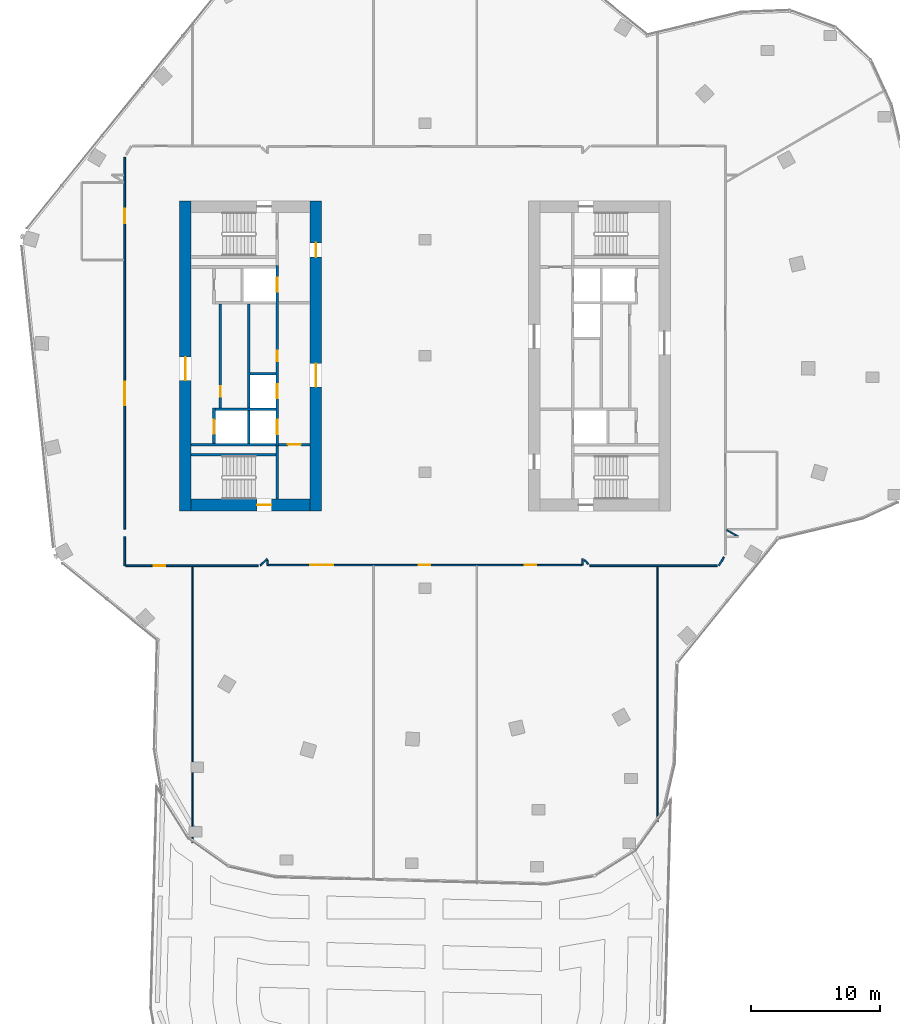
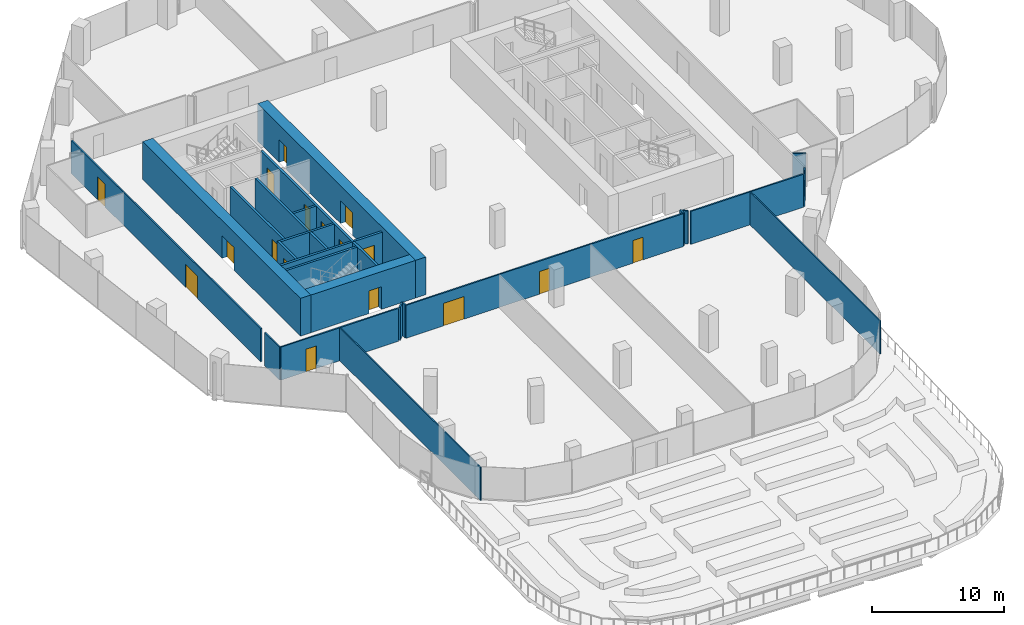
# One storey, part 18 of 25: 27 walls, 17 doors, 17 openings.
"""IFC4 building model written with IfcOpenShell, lengths in metres."""

import ifcopenshell
import ifcopenshell.guid

model = None  # the IFC model being written
_history = None  # IfcOwnerHistory: only IFC2X3 demands one
_inside = {}  # id of a spatial element -> (the spatial element, [elements in it])
_under = {}  # id of a project, library or spatial element -> (it, [spatial elements below it])
_declared = {}  # id of a project -> (the project, [libraries it declares])
_typed = {}  # id of a type object -> (the type object, [elements of that type])
_made_of = {}  # id of a material, layer set ... -> (it, [elements and type objects made of it])


def new_model(schema):
    """Start an empty IFC model of exactly this schema.

    Asked for "IFC4X3", IfcOpenShell would pick the latest addendum, in which some entities
    have other attributes; the version numbers below select the first issue.
    IFC2X3 requires an IfcOwnerHistory on every rooted entity: one is made here for all.
    """
    global model, _history
    if schema == "IFC4X3":
        model = ifcopenshell.file(schema_version=(4, 3, 0, 0))
    else:
        model = ifcopenshell.file(schema=schema)
    _inside.clear()
    _under.clear()
    _declared.clear()
    _typed.clear()
    _made_of.clear()
    _history = None
    if model.schema == "IFC2X3":
        org = make("IfcOrganization", Name="unknown")
        user = make(
            "IfcPersonAndOrganization",
            ThePerson=make("IfcPerson", FamilyName="unknown"),
            TheOrganization=org,
        )
        app = make(
            "IfcApplication",
            ApplicationDeveloper=org,
            Version="unknown",
            ApplicationFullName="unknown",
            ApplicationIdentifier="unknown",
        )
        _history = make(
            "IfcOwnerHistory",
            OwningUser=user,
            OwningApplication=app,
            ChangeAction="ADDED",
            CreationDate=0,
        )
    return model


def make(cls, **values):
    """One entity of the class cls with the attributes given. An attribute that is None is left unset."""
    return model.create_entity(
        cls, **{name: value for name, value in values.items() if value is not None}
    )


def rooted(cls, **values):
    """An entity with a GlobalId (a new one), such as an element, a storey or a relation."""
    return make(cls, GlobalId=ifcopenshell.guid.new(), OwnerHistory=_history, **values)


def si_unit(unit_type, name, prefix=None):
    """IfcSIUnit, for example si_unit("LENGTHUNIT", "METRE", prefix="MILLI")."""
    return make("IfcSIUnit", UnitType=unit_type, Prefix=prefix, Name=name)


def assignment(units):
    """IfcUnitAssignment: the units of a project."""
    return None if units is None else make("IfcUnitAssignment", Units=units)


def point(xyz):
    """IfcCartesianPoint."""
    return None if xyz is None else make("IfcCartesianPoint", Coordinates=xyz)


def direction(xyz):
    """IfcDirection."""
    return None if xyz is None else make("IfcDirection", DirectionRatios=xyz)


def frame(location, z_axis=None, x_axis=None):
    """IfcAxis2Placement3D, a coordinate frame: its origin and axes. An axis left out is left unset."""
    return make(
        "IfcAxis2Placement3D",
        Location=point(location),
        Axis=direction(z_axis),
        RefDirection=direction(x_axis),
    )


def frame_2d(location, x_axis=None):
    """IfcAxis2Placement2D, a coordinate frame in the plane: its origin and x axis."""
    return make(
        "IfcAxis2Placement2D", Location=point(location), RefDirection=direction(x_axis)
    )


def origin():
    """The frame at (0, 0, 0) with its axes left unset."""
    return frame((0.0, 0.0, 0.0))


def place(relative_to, where):
    """IfcLocalPlacement: puts the frame where relative to a parent placement (None: the world)."""
    return make(
        "IfcLocalPlacement", PlacementRelTo=relative_to, RelativePlacement=where
    )


def context(
    kind, dimensions, precision=None, world=None, true_north=None, identifier=None
):
    """IfcGeometricRepresentationContext, for example the 3D "Model" context."""
    return make(
        "IfcGeometricRepresentationContext",
        ContextIdentifier=identifier,
        ContextType=kind,
        CoordinateSpaceDimension=dimensions,
        Precision=precision,
        WorldCoordinateSystem=world,
        TrueNorth=true_north,
    )


def subcontext(parent, identifier, kind, view, scale=None):
    """IfcGeometricRepresentationSubContext, for example "Body" below "Model"."""
    return make(
        "IfcGeometricRepresentationSubContext",
        ContextIdentifier=identifier,
        ContextType=kind,
        ParentContext=parent,
        TargetScale=scale,
        TargetView=view,
    )


def project(units=None, contexts=None):
    """IfcProject with its units and contexts."""
    return rooted(
        "IfcProject",
        Name="project",
        RepresentationContexts=contexts,
        UnitsInContext=assignment(units),
    )


def spatial(cls, under=None, at=None, **own):
    """A site, building, storey or space (cls), placed at a placement, below another one or the project."""
    s = rooted(cls, ObjectPlacement=at, **own)
    if under is not None:
        _under.setdefault(under.id(), (under, []))[1].append(s)
    return s


def profile(cls, at=None, kind="AREA", **sizes):
    """A parametric profile (cls). Its sizes go by their IFC names, for example OverallWidth=200.0."""
    return make(cls, ProfileType=kind, Position=at, **sizes)


def rectangle(**sizes):
    """IfcRectangleProfileDef."""
    return profile("IfcRectangleProfileDef", **sizes)


def extrude(swept, where, along, depth):
    """IfcExtrudedAreaSolid: the profile swept, set in the frame where, extruded along a direction by depth."""
    return make(
        "IfcExtrudedAreaSolid",
        SweptArea=swept,
        Position=where,
        ExtrudedDirection=direction(along),
        Depth=depth,
    )


def shape(context_of_items, identifier, shape_type, items):
    """IfcShapeRepresentation: the items that make up one representation, for example the "Body"."""
    return make(
        "IfcShapeRepresentation",
        ContextOfItems=context_of_items,
        RepresentationIdentifier=identifier,
        RepresentationType=shape_type,
        Items=items,
    )


def material(Name=None, Category=None):
    """IfcMaterial."""
    return make("IfcMaterial", Name=Name, Category=Category)


def layer(
    of_material, thickness, ventilated=None, Name=None, Category=None, Priority=None
):
    """IfcMaterialLayer: one layer of a wall or slab, of a material (None: an air gap)."""
    return make(
        "IfcMaterialLayer",
        Material=of_material,
        LayerThickness=thickness,
        IsVentilated=ventilated,
        Name=Name,
        Category=Category,
        Priority=Priority,
    )


def layer_set(layers, Name=None):
    """IfcMaterialLayerSet."""
    return make("IfcMaterialLayerSet", MaterialLayers=layers, LayerSetName=Name)


def made_of(thing, what):
    """Note that an element or type object is made of a material, layer set ...; save() writes the relation."""
    if what is not None:
        _made_of.setdefault(what.id(), (what, []))[1].append(thing)
    return thing


def type_object(cls, material=None, **own):
    """A type object (cls), such as IfcWallType, which elements share."""
    return made_of(rooted(cls, **own), material)


def element(
    cls,
    number,
    at=None,
    inside=None,
    cuts=None,
    type_object=None,
    material=None,
    context=None,
    identifier="Body",
    shape_type=None,
    held_by="IfcProductDefinitionShape",
    body=None,
    shapes=None,
    **own,
):
    """One element of the class cls, such as IfcWall. Its Tag is "e" and its number.

    at: its placement. inside: the storey or other place that contains it. cuts: it is an
    opening in that element (IfcRelVoidsElement). A single representation is given by context,
    identifier, shape_type and body (its items); several are given by shapes. held_by: the class
    of the entity that holds the representations. save() writes the other relations.
    """
    e = rooted(cls, Tag="e%d" % number, ObjectPlacement=at, **own)
    if body is not None:
        shapes = [shape(context, identifier, shape_type, body)]
    if shapes is not None:
        e.Representation = make(held_by, Representations=shapes)
    if inside is not None:
        _inside.setdefault(inside.id(), (inside, []))[1].append(e)
    if cuts is not None:
        rooted(
            "IfcRelVoidsElement", RelatingBuildingElement=cuts, RelatedOpeningElement=e
        )
    if type_object is not None:
        _typed.setdefault(type_object.id(), (type_object, []))[1].append(e)
    return made_of(e, material)


def fill(opening, filler):
    """IfcRelFillsElement: the door or window that sits in an opening."""
    return rooted(
        "IfcRelFillsElement",
        RelatingOpeningElement=opening,
        RelatedBuildingElement=filler,
    )


def aggregate(whole, parts):
    """IfcRelAggregates: a whole, such as a stair, and the parts it consists of."""
    return rooted("IfcRelAggregates", RelatingObject=whole, RelatedObjects=parts)


def save(model, path):
    """Write the relations noted so far, then the file.

    IfcRelAggregates (storeys below a building ...), IfcRelContainedInSpatialStructure (elements
    in a storey), IfcRelDefinesByType, IfcRelAssociatesMaterial and IfcRelDeclares: one each for
    every whole, place, type object, material and project.
    """
    for whole, parts in _under.values():
        aggregate(whole, parts)
    for where, things in _inside.values():
        rooted(
            "IfcRelContainedInSpatialStructure",
            RelatedElements=things,
            RelatingStructure=where,
        )
    for kind, things in _typed.values():
        rooted("IfcRelDefinesByType", RelatedObjects=things, RelatingType=kind)
    for what, things in _made_of.values():
        rooted("IfcRelAssociatesMaterial", RelatedObjects=things, RelatingMaterial=what)
    for by, libraries in _declared.values():
        rooted("IfcRelDeclares", RelatingContext=by, RelatedDefinitions=libraries)
    model.write(path)


model = new_model("IFC4")

# Units and contexts
model_context = context("Model", 3, precision=1e-05, world=origin(), true_north=direction((0.0, 1.0)))
body_context = subcontext(model_context, "Body", "Model", "MODEL_VIEW")
ifc_project = project(units=[si_unit("LENGTHUNIT", "METRE"), si_unit("AREAUNIT", "SQUARE_METRE"), si_unit("VOLUMEUNIT", "CUBIC_METRE"), si_unit("PLANEANGLEUNIT", "RADIAN"), si_unit("MASSUNIT", "GRAM", prefix="KILO")], contexts=[model_context])

# Site, building, storey
site_placement = place(None, origin())
site = spatial("IfcSite", under=ifc_project, at=site_placement, CompositionType="ELEMENT")
building_placement = place(site_placement, origin())
building = spatial("IfcBuilding", under=site, at=building_placement, Name="Orlundy Tower", CompositionType="ELEMENT")
storey_placement = place(building_placement, frame((0.0, 0.0, 217.5)))
storey = spatial("IfcBuildingStorey", under=building, at=storey_placement, Name="L57", CompositionType="ELEMENT", Elevation=217.5)

# Wall, opening, door
ifc_material_1 = material(Name="Concrete C60/75", Category="concrete")
ifc_layer_1 = layer(ifc_material_1, 0.89990234375)
ifc_layer_set_1 = layer_set([ifc_layer_1], Name="CORE WALL 900 C60/75")
wall_type_1 = type_object("IfcWallType", Name="CORE WALL 900 C60/75", PredefinedType="SHEAR", material=ifc_layer_set_1)
wall_1_placement = place(storey_placement, frame((-18.10009765625, -11.550048828125, 0.0), z_axis=(0.0, 0.0, 1.0), x_axis=(1.0, 0.0, 0.0)))
wall_1 = element("IfcWall", 1, at=wall_1_placement, inside=storey, type_object=wall_type_1, Name="Core wall W-S L57", PredefinedType="SHEAR", context=body_context, shape_type="SweptSolid", body=[
    extrude(rectangle(XDim=9.2001953125, YDim=0.89990234375, at=frame_2d((4.60009765625, 0.0))), origin(), (0.0, 0.0, 1.0), 3.5),
])
opening_1_placement = place(wall_1_placement, frame((5.10009765625, 0.0, 0.0)))
opening_1 = element("IfcOpeningElement", 2, at=opening_1_placement, cuts=wall_1, Name="Opening 44012", PredefinedType="OPENING", context=body_context, shape_type="SweptSolid", body=[
    extrude(rectangle(XDim=1.10009765625, YDim=2.10009765625, at=frame_2d((0.550048828125, 1.050048828125))), frame((0.0, 0.4599609375, 0.0), z_axis=(0.0, -1.0, 0.0), x_axis=(1.0, 0.0, 0.0)), (0.0, 0.0, 1.0), 0.919921875),
])
ifc_material_2 = material(Name="Steel door set", Category="steel")
door_type_1 = type_object("IfcDoorType", Name="Stair Door 1100x2100", OperationType="SINGLE_SWING_LEFT", PredefinedType="DOOR", material=ifc_material_2)
door_1_placement = place(opening_1_placement, origin())
door_1 = element("IfcDoor", 3, at=door_1_placement, inside=storey, type_object=door_type_1, Name="Stair door 44012", OperationType="SINGLE_SWING_RIGHT", OverallHeight=2.10009765625, OverallWidth=1.10009765625, PredefinedType="DOOR", context=body_context, shape_type="SweptSolid", body=[
    extrude(rectangle(XDim=1.10009765625, YDim=2.10009765625, at=frame_2d((0.550048828125, 1.050048828125))), frame((0.0, 0.02490234375, 0.0), z_axis=(0.0, -1.0, 0.0), x_axis=(1.0, 0.0, 0.0)), (0.0, 0.0, 1.0), 0.050048828125),
])
fill(opening_1, door_1)

wall_2_placement = place(storey_placement, frame((-18.550048828125, -12.0, 0.0), z_axis=(0.0, 0.0, 1.0), x_axis=(0.0, 1.0, 0.0)))
wall_2 = element("IfcWall", 4, at=wall_2_placement, inside=storey, type_object=wall_type_1, Name="Core wall W-W L57", PredefinedType="SHEAR", context=body_context, shape_type="SweptSolid", body=[
    extrude(rectangle(XDim=24.0, YDim=0.89990234375, at=frame_2d((12.0, 0.0))), origin(), (0.0, 0.0, 1.0), 3.5),
])
opening_2_placement = place(wall_2_placement, frame((10.10009765625, 0.0, 0.0)))
opening_2 = element("IfcOpeningElement", 5, at=opening_2_placement, cuts=wall_2, Name="Opening 44009", PredefinedType="OPENING", context=body_context, shape_type="SweptSolid", body=[
    extrude(rectangle(XDim=1.800048828125, YDim=2.10009765625, at=frame_2d((0.89990234375, 1.050048828125))), frame((0.0, 0.4599609375, 0.0), z_axis=(0.0, -1.0, 0.0), x_axis=(1.0, 0.0, 0.0)), (0.0, 0.0, 1.0), 0.919921875),
])
ifc_material_3 = material(Name="Timber door set", Category="wood")
door_type_2 = type_object("IfcDoorType", Name="Lobby Door 1800x2100", OperationType="DOUBLE_DOOR_DOUBLE_SWING", PredefinedType="DOOR", material=ifc_material_3)
door_2_placement = place(opening_2_placement, origin())
door_2 = element("IfcDoor", 6, at=door_2_placement, inside=storey, type_object=door_type_2, Name="Lift lobby door 44009", OperationType="SINGLE_SWING_LEFT", OverallHeight=2.10009765625, OverallWidth=1.800048828125, PredefinedType="DOOR", context=body_context, shape_type="SweptSolid", body=[
    extrude(rectangle(XDim=1.800048828125, YDim=2.10009765625, at=frame_2d((0.89990234375, 1.050048828125))), frame((0.0, 0.02490234375, 0.0), z_axis=(0.0, -1.0, 0.0), x_axis=(1.0, 0.0, 0.0)), (0.0, 0.0, 1.0), 0.050048828125),
])
fill(opening_2, door_2)

# Wall, openings, doors
wall_3_placement = place(storey_placement, frame((-8.449951171875, -12.0, 0.0), z_axis=(0.0, 0.0, 1.0), x_axis=(0.0, 1.0, 0.0)))
wall_3 = element("IfcWall", 7, at=wall_3_placement, inside=storey, type_object=wall_type_1, Name="Core wall W-E L57", PredefinedType="SHEAR", context=body_context, shape_type="SweptSolid", body=[
    extrude(rectangle(XDim=24.0, YDim=0.89990234375, at=frame_2d((12.0, 0.0))), origin(), (0.0, 0.0, 1.0), 3.5),
])
opening_3_placement = place(wall_3_placement, frame((9.60009765625, 0.0, 0.0)))
opening_3 = element("IfcOpeningElement", 8, at=opening_3_placement, cuts=wall_3, Name="Opening 44008", PredefinedType="OPENING", context=body_context, shape_type="SweptSolid", body=[
    extrude(rectangle(XDim=1.800048828125, YDim=2.10009765625, at=frame_2d((0.89990234375, 1.050048828125))), frame((0.0, 0.4599609375, 0.0), z_axis=(0.0, -1.0, 0.0), x_axis=(1.0, 0.0, 0.0)), (0.0, 0.0, 1.0), 0.919921875),
])
opening_4_placement = place(wall_3_placement, frame((19.64990234375, 0.0, 0.0)))
opening_4 = element("IfcOpeningElement", 9, at=opening_4_placement, cuts=wall_3, Name="Opening 44010", PredefinedType="OPENING", context=body_context, shape_type="SweptSolid", body=[
    extrude(rectangle(XDim=1.10009765625, YDim=2.10009765625, at=frame_2d((0.550048828125, 1.050048828125))), frame((0.0, 0.4599609375, 0.0), z_axis=(0.0, -1.0, 0.0), x_axis=(1.0, 0.0, 0.0)), (0.0, 0.0, 1.0), 0.919921875),
])
ifc_material_4 = material(Name="Steel door set", Category="steel")
door_type_3 = type_object("IfcDoorType", Name="Fire-fighting Lobby Door 1100x2100", OperationType="SINGLE_SWING_LEFT", PredefinedType="DOOR", material=ifc_material_4)
door_3_placement = place(opening_4_placement, origin())
door_3 = element("IfcDoor", 10, at=door_3_placement, inside=storey, type_object=door_type_3, Name="Fire-fighting lobby door 44010", OperationType="SINGLE_SWING_RIGHT", OverallHeight=2.10009765625, OverallWidth=1.10009765625, PredefinedType="DOOR", context=body_context, shape_type="SweptSolid", body=[
    extrude(rectangle(XDim=1.10009765625, YDim=2.10009765625, at=frame_2d((0.550048828125, 1.050048828125))), frame((0.0, 0.02490234375, 0.0), z_axis=(0.0, -1.0, 0.0), x_axis=(1.0, 0.0, 0.0)), (0.0, 0.0, 1.0), 0.050048828125),
])
fill(opening_4, door_3)
door_4_placement = place(opening_3_placement, origin())
door_4 = element("IfcDoor", 11, at=door_4_placement, inside=storey, type_object=door_type_2, Name="Lift lobby door 44008", OperationType="SINGLE_SWING_LEFT", OverallHeight=2.10009765625, OverallWidth=1.800048828125, PredefinedType="DOOR", context=body_context, shape_type="SweptSolid", body=[
    extrude(rectangle(XDim=1.800048828125, YDim=2.10009765625, at=frame_2d((0.89990234375, 1.050048828125))), frame((0.0, 0.02490234375, 0.0), z_axis=(0.0, -1.0, 0.0), x_axis=(1.0, 0.0, 0.0)), (0.0, 0.0, 1.0), 0.050048828125),
])
fill(opening_3, door_4)

# Walls
ifc_material_5 = material(Name="Gypsum board partition")
ifc_layer_2 = layer(ifc_material_5, 0.10009765625)
ifc_layer_set_2 = layer_set([ifc_layer_2], Name="Floor partition 100")
wall_type_2 = type_object("IfcWallType", Name="Floor partition 100", PredefinedType="PARTITIONING", material=ifc_layer_set_2)
wall_4_placement = place(storey_placement, frame((23.341064453125, -13.47607421875, 0.0), z_axis=(0.0, 0.0, 1.0), x_axis=(0.866348974555, -0.499439139722, 0.0)))
element("IfcWall", 12, at=wall_4_placement, inside=storey, type_object=wall_type_2, Name="wall-int-L57-004", PredefinedType="PARTITIONING", context=body_context, shape_type="SweptSolid", body=[
    extrude(rectangle(XDim=0.994873046875, YDim=0.10009765625, at=frame_2d((0.49755859375, 0.0))), origin(), (0.0, 0.0, 1.0), 3.06005859375),
])
wall_5_placement = place(storey_placement, frame((18.0, -36.075927734375, 0.0), z_axis=(0.0, 0.0, 1.0), x_axis=(0.0, 1.0, 0.0)))
element("IfcWall", 13, at=wall_5_placement, inside=storey, type_object=wall_type_2, Name="wall-int-L57-027", PredefinedType="PARTITIONING", context=body_context, shape_type="SweptSolid", body=[
    extrude(rectangle(XDim=19.763916015625, YDim=0.10009765625, at=frame_2d((9.8818359375, 0.0))), origin(), (0.0, 0.0, 1.0), 3.06005859375),
])
wall_6_placement = place(storey_placement, frame((-18.0, -37.699951171875, 0.0), z_axis=(0.0, 0.0, 1.0), x_axis=(0.0, 1.0, 0.0)))
element("IfcWall", 14, at=wall_6_placement, inside=storey, type_object=wall_type_2, Name="wall-int-L57-035", PredefinedType="PARTITIONING", context=body_context, shape_type="SweptSolid", body=[
    extrude(rectangle(XDim=21.387939453125, YDim=0.10009765625, at=frame_2d((10.69384765625, 0.0))), origin(), (0.0, 0.0, 1.0), 3.06005859375),
])
ifc_material_6 = material(Name="Gypsum board partition, double layer")
ifc_layer_3 = layer(ifc_material_6, 0.125)
ifc_layer_set_3 = layer_set([ifc_layer_3], Name="Floor partition 125")
wall_type_3 = type_object("IfcWallType", Name="Floor partition 125", PredefinedType="PARTITIONING", material=ifc_layer_set_3)
wall_7_placement = place(storey_placement, frame((-12.200927734375, -15.842041015625, 0.0), z_axis=(0.0, 0.0, 1.0), x_axis=(0.002728502804, -0.999996277629, 0.0)))
element("IfcWall", 15, at=wall_7_placement, inside=storey, type_object=wall_type_3, Name="wall-int-L57-001", PredefinedType="PARTITIONING", context=body_context, shape_type="SweptSolid", body=[
    extrude(rectangle(XDim=0.35791015625, YDim=0.125, at=frame_2d((0.178955078125, 0.0))), origin(), (0.0, 0.0, 1.0), 3.06005859375),
])
wall_8_placement = place(storey_placement, frame((12.3291015625, -15.806884765625, 0.0), z_axis=(0.0, 0.0, 1.0), x_axis=(0.706834450471, -0.707379007059, 0.0)))
element("IfcWall", 16, at=wall_8_placement, inside=storey, type_object=wall_type_3, Name="wall-int-L57-002", PredefinedType="PARTITIONING", context=body_context, shape_type="SweptSolid", body=[
    extrude(rectangle(XDim=0.4482421875, YDim=0.125, at=frame_2d((0.22412109375, 0.0))), origin(), (0.0, 0.0, 1.0), 3.06005859375),
])

# Wall, opening, door
wall_9_placement = place(storey_placement, frame((-12.909912109375, -16.25, 0.0), z_axis=(0.0, 0.0, 1.0), x_axis=(-1.0, 0.0, 0.0)))
wall_9 = element("IfcWall", 17, at=wall_9_placement, inside=storey, type_object=wall_type_3, Name="wall-int-L57-006", PredefinedType="PARTITIONING", context=body_context, shape_type="SweptSolid", body=[
    extrude(rectangle(XDim=10.278076171875, YDim=0.125, at=frame_2d((5.13916015625, 0.0))), origin(), (0.0, 0.0, 1.0), 3.06005859375),
])
opening_5_placement = place(wall_9_placement, frame((7.190185546875, 0.0, 0.0)))
opening_5 = element("IfcOpeningElement", 18, at=opening_5_placement, cuts=wall_9, Name="Opening 44100", PredefinedType="OPENING", context=body_context, shape_type="SweptSolid", body=[
    extrude(rectangle(XDim=0.89990234375, YDim=2.10009765625, at=frame_2d((0.449951171875, 1.050048828125))), frame((0.0, 0.072509765625, 0.0), z_axis=(0.0, -1.0, 0.0), x_axis=(1.0, 0.0, 0.0)), (0.0, 0.0, 1.0), 0.14501953125),
])
ifc_material_7 = material(Name="Timber door leaf", Category="wood")
door_type_4 = type_object("IfcDoorType", Name="Floor door single 900 FD30S", OperationType="NOTDEFINED", PredefinedType="DOOR", material=ifc_material_7)
door_5_placement = place(opening_5_placement, origin())
door_5 = element("IfcDoor", 19, at=door_5_placement, inside=storey, type_object=door_type_4, Name="Door 44100", OperationType="SINGLE_SWING_RIGHT", OverallHeight=2.10009765625, OverallWidth=0.89990234375, PredefinedType="DOOR", context=body_context, shape_type="SweptSolid", body=[
    extrude(rectangle(XDim=0.89990234375, YDim=2.10009765625, at=frame_2d((0.449951171875, 1.050048828125))), frame((0.0, 0.02490234375, 0.0), z_axis=(0.0, -1.0, 0.0), x_axis=(1.0, 0.0, 0.0)), (0.0, 0.0, 1.0), 0.050048828125),
])
fill(opening_5, door_5)

# Wall
wall_10_placement = place(storey_placement, frame((12.759033203125, -16.25, 0.0), z_axis=(0.0, 0.0, 1.0), x_axis=(1.0, 0.0, 0.0)))
element("IfcWall", 20, at=wall_10_placement, inside=storey, type_object=wall_type_3, Name="wall-int-L57-007", PredefinedType="PARTITIONING", context=body_context, shape_type="SweptSolid", body=[
    extrude(rectangle(XDim=9.8740234375, YDim=0.125, at=frame_2d((4.93701171875, 0.0))), origin(), (0.0, 0.0, 1.0), 3.06005859375),
])

# Wall, openings, doors
wall_11_placement = place(storey_placement, frame((12.138916015625, -16.199951171875, 0.0), z_axis=(0.0, 0.0, 1.0), x_axis=(-1.0, 0.0, 0.0)))
wall_11 = element("IfcWall", 21, at=wall_11_placement, inside=storey, type_object=wall_type_3, Name="wall-int-L57-008", PredefinedType="PARTITIONING", context=body_context, shape_type="SweptSolid", body=[
    extrude(rectangle(XDim=24.3388671875, YDim=0.125, at=frame_2d((12.16943359375, 0.0))), origin(), (0.0, 0.0, 1.0), 3.06005859375),
])
opening_6_placement = place(wall_11_placement, frame((19.238525390625, 0.0, 0.0)))
opening_6 = element("IfcOpeningElement", 22, at=opening_6_placement, cuts=wall_11, Name="Opening 44101", PredefinedType="OPENING", context=body_context, shape_type="SweptSolid", body=[
    extrude(rectangle(XDim=1.800048828125, YDim=2.10009765625, at=frame_2d((0.89990234375, 1.050048828125))), frame((0.0, 0.072509765625, 0.0), z_axis=(0.0, -1.0, 0.0), x_axis=(1.0, 0.0, 0.0)), (0.0, 0.0, 1.0), 0.14501953125),
])
opening_7_placement = place(wall_11_placement, frame((11.738525390625, 0.0, 0.0)))
opening_7 = element("IfcOpeningElement", 23, at=opening_7_placement, cuts=wall_11, Name="Opening 44102", PredefinedType="OPENING", context=body_context, shape_type="SweptSolid", body=[
    extrude(rectangle(XDim=0.89990234375, YDim=2.10009765625, at=frame_2d((0.449951171875, 1.050048828125))), frame((0.0, 0.072509765625, 0.0), z_axis=(0.0, -1.0, 0.0), x_axis=(1.0, 0.0, 0.0)), (0.0, 0.0, 1.0), 0.14501953125),
])
opening_8_placement = place(wall_11_placement, frame((3.53759765625, 0.0, 0.0)))
opening_8 = element("IfcOpeningElement", 24, at=opening_8_placement, cuts=wall_11, Name="Opening 44103", PredefinedType="OPENING", context=body_context, shape_type="SweptSolid", body=[
    extrude(rectangle(XDim=0.89990234375, YDim=2.10009765625, at=frame_2d((0.449951171875, 1.050048828125))), frame((0.0, 0.072509765625, 0.0), z_axis=(0.0, -1.0, 0.0), x_axis=(1.0, 0.0, 0.0)), (0.0, 0.0, 1.0), 0.14501953125),
])
ifc_material_8 = material(Name="Timber door leaf", Category="wood")
door_type_5 = type_object("IfcDoorType", Name="Floor door double 1800 FD30S", OperationType="NOTDEFINED", PredefinedType="DOOR", material=ifc_material_8)
door_6_placement = place(opening_6_placement, origin())
door_6 = element("IfcDoor", 25, at=door_6_placement, inside=storey, type_object=door_type_5, Name="Door 44101", OperationType="DOUBLE_DOOR_SINGLE_SWING", OverallHeight=2.10009765625, OverallWidth=1.800048828125, PredefinedType="DOOR", context=body_context, shape_type="SweptSolid", body=[
    extrude(rectangle(XDim=1.800048828125, YDim=2.10009765625, at=frame_2d((0.89990234375, 1.050048828125))), frame((0.0, 0.02490234375, 0.0), z_axis=(0.0, -1.0, 0.0), x_axis=(1.0, 0.0, 0.0)), (0.0, 0.0, 1.0), 0.050048828125),
])
fill(opening_6, door_6)
door_7_placement = place(opening_7_placement, origin())
door_7 = element("IfcDoor", 26, at=door_7_placement, inside=storey, type_object=door_type_4, Name="Door 44102", OperationType="SINGLE_SWING_RIGHT", OverallHeight=2.10009765625, OverallWidth=0.89990234375, PredefinedType="DOOR", context=body_context, shape_type="SweptSolid", body=[
    extrude(rectangle(XDim=0.89990234375, YDim=2.10009765625, at=frame_2d((0.449951171875, 1.050048828125))), frame((0.0, 0.02490234375, 0.0), z_axis=(0.0, -1.0, 0.0), x_axis=(1.0, 0.0, 0.0)), (0.0, 0.0, 1.0), 0.050048828125),
])
fill(opening_7, door_7)
door_8_placement = place(opening_8_placement, origin())
door_8 = element("IfcDoor", 27, at=door_8_placement, inside=storey, type_object=door_type_4, Name="Door 44103", OperationType="SINGLE_SWING_LEFT", OverallHeight=2.10009765625, OverallWidth=0.89990234375, PredefinedType="DOOR", context=body_context, shape_type="SweptSolid", body=[
    extrude(rectangle(XDim=0.89990234375, YDim=2.10009765625, at=frame_2d((0.449951171875, 1.050048828125))), frame((0.0, 0.02490234375, 0.0), z_axis=(0.0, -1.0, 0.0), x_axis=(1.0, 0.0, 0.0)), (0.0, 0.0, 1.0), 0.050048828125),
])
fill(opening_8, door_8)

# Walls
wall_12_placement = place(storey_placement, frame((-12.7529296875, -16.23095703125, 0.0), z_axis=(0.0, 0.0, 1.0), x_axis=(0.707106781187, 0.707106781187, 0.0)))
element("IfcWall", 28, at=wall_12_placement, inside=storey, type_object=wall_type_3, Name="wall-int-L57-020", PredefinedType="PARTITIONING", context=body_context, shape_type="SweptSolid", body=[
    extrude(rectangle(XDim=0.7509765625, YDim=0.125, at=frame_2d((0.37548828125, 0.0))), origin(), (0.0, 0.0, 1.0), 3.06005859375),
])
wall_13_placement = place(storey_placement, frame((22.7470703125, -16.23388671875, 0.0), z_axis=(0.0, 0.0, 1.0), x_axis=(0.509899387889, 0.860234046193, 0.0)))
element("IfcWall", 29, at=wall_13_placement, inside=storey, type_object=wall_type_3, Name="wall-int-L57-022", PredefinedType="PARTITIONING", context=body_context, shape_type="SweptSolid", body=[
    extrude(rectangle(XDim=0.7587890625, YDim=0.125, at=frame_2d((0.37939453125, 0.0))), origin(), (0.0, 0.0, 1.0), 3.06005859375),
])
wall_14_placement = place(storey_placement, frame((12.200927734375, -16.199951171875, 0.0), z_axis=(0.0, 0.0, 1.0), x_axis=(0.0, 1.0, 0.0)))
element("IfcWall", 30, at=wall_14_placement, inside=storey, type_object=wall_type_3, Name="wall-int-L57-029", PredefinedType="PARTITIONING", context=body_context, shape_type="SweptSolid", body=[
    extrude(rectangle(XDim=0.508056640625, YDim=0.125, at=frame_2d((0.25390625, 0.0))), origin(), (0.0, 0.0, 1.0), 3.06005859375),
])
wall_15_placement = place(storey_placement, frame((-23.25, -16.25, 0.0), z_axis=(0.0, 0.0, 1.0), x_axis=(0.0, 1.0, 0.0)))
element("IfcWall", 31, at=wall_15_placement, inside=storey, type_object=wall_type_3, Name="wall-int-L57-037", PredefinedType="PARTITIONING", context=body_context, shape_type="SweptSolid", body=[
    extrude(rectangle(XDim=2.25, YDim=0.125, at=frame_2d((1.125, 0.0))), origin(), (0.0, 0.0, 1.0), 3.06005859375),
])

# Wall, openings, doors
wall_16_placement = place(storey_placement, frame((-23.25, -13.423095703125, 0.0), z_axis=(0.0, 0.0, 1.0), x_axis=(0.0, 1.0, 0.0)))
wall_16 = element("IfcWall", 32, at=wall_16_placement, inside=storey, type_object=wall_type_3, Name="wall-int-L57-038", PredefinedType="PARTITIONING", context=body_context, shape_type="SweptSolid", body=[
    extrude(rectangle(XDim=28.80517578125, YDim=0.125, at=frame_2d((14.402587890625, 0.0))), origin(), (0.0, 0.0, 1.0), 3.06005859375),
])
opening_9_placement = place(wall_16_placement, frame((9.60009765625, 0.0, 0.0)))
opening_9 = element("IfcOpeningElement", 33, at=opening_9_placement, cuts=wall_16, Name="Opening 44110", PredefinedType="OPENING", context=body_context, shape_type="SweptSolid", body=[
    extrude(rectangle(XDim=1.800048828125, YDim=2.10009765625, at=frame_2d((0.89990234375, 1.050048828125))), frame((0.0, 0.072509765625, 0.0), z_axis=(0.0, -1.0, 0.0), x_axis=(1.0, 0.0, 0.0)), (0.0, 0.0, 1.0), 0.14501953125),
])
opening_10_placement = place(wall_16_placement, frame((23.696044921875, 0.0, 0.0)))
opening_10 = element("IfcOpeningElement", 34, at=opening_10_placement, cuts=wall_16, Name="Opening 44112", PredefinedType="OPENING", context=body_context, shape_type="SweptSolid", body=[
    extrude(rectangle(XDim=1.10009765625, YDim=2.10009765625, at=frame_2d((0.550048828125, 1.050048828125))), frame((0.0, 0.072509765625, 0.0), z_axis=(0.0, -1.0, 0.0), x_axis=(1.0, 0.0, 0.0)), (0.0, 0.0, 1.0), 0.14501953125),
])
door_9_placement = place(opening_9_placement, origin())
door_9 = element("IfcDoor", 35, at=door_9_placement, inside=storey, type_object=door_type_5, Name="Door 44110", OperationType="DOUBLE_DOOR_SINGLE_SWING", OverallHeight=2.10009765625, OverallWidth=1.800048828125, PredefinedType="DOOR", context=body_context, shape_type="SweptSolid", body=[
    extrude(rectangle(XDim=1.800048828125, YDim=2.10009765625, at=frame_2d((0.89990234375, 1.050048828125))), frame((0.0, 0.02490234375, 0.0), z_axis=(0.0, -1.0, 0.0), x_axis=(1.0, 0.0, 0.0)), (0.0, 0.0, 1.0), 0.050048828125),
])
fill(opening_9, door_9)
ifc_material_9 = material(Name="Timber door leaf", Category="wood")
door_type_6 = type_object("IfcDoorType", Name="Floor door xwide 1100 FD30S", OperationType="NOTDEFINED", PredefinedType="DOOR", material=ifc_material_9)
door_10_placement = place(opening_10_placement, origin())
door_10 = element("IfcDoor", 36, at=door_10_placement, inside=storey, type_object=door_type_6, Name="Door 44112", OperationType="SINGLE_SWING_RIGHT", OverallHeight=2.10009765625, OverallWidth=1.10009765625, PredefinedType="DOOR", context=body_context, shape_type="SweptSolid", body=[
    extrude(rectangle(XDim=1.10009765625, YDim=2.10009765625, at=frame_2d((0.550048828125, 1.050048828125))), frame((0.0, 0.02490234375, 0.0), z_axis=(0.0, -1.0, 0.0), x_axis=(1.0, 0.0, 0.0)), (0.0, 0.0, 1.0), 0.050048828125),
])
fill(opening_10, door_10)

# Walls
ifc_material_10 = material(Name="Concrete C40/50", Category="concrete")
ifc_layer_4 = layer(ifc_material_10, 0.199951171875)
ifc_layer_set_4 = layer_set([ifc_layer_4], Name="Load-bearing Shaft Wall 200")
wall_type_4 = type_object("IfcWallType", Name="Load-bearing Shaft Wall 200", PredefinedType="SOLIDWALL", material=ifc_layer_set_4)
wall_17_placement = place(storey_placement, frame((-11.43994140625, -11.10009765625, 0.0), z_axis=(0.0, 0.0, 1.0), x_axis=(0.0, 1.0, 0.0)))
element("IfcWall", 37, at=wall_17_placement, inside=storey, type_object=wall_type_4, Name="Shaft wall W44-stair-end-s", PredefinedType="SOLIDWALL", context=body_context, shape_type="SweptSolid", body=[
    extrude(rectangle(XDim=4.125, YDim=0.199951171875, at=frame_2d((2.0625, 0.0))), origin(), (0.0, 0.0, 1.0), 3.080078125),
])
wall_18_placement = place(storey_placement, frame((-11.5400390625, -7.64990234375, 0.0), z_axis=(0.0, 0.0, 1.0), x_axis=(-1.0, 0.0, 0.0)))
element("IfcWall", 38, at=wall_18_placement, inside=storey, type_object=wall_type_4, Name="Shaft wall W44-stair-side-s", PredefinedType="SOLIDWALL", context=body_context, shape_type="SweptSolid", body=[
    extrude(rectangle(XDim=6.56005859375, YDim=0.199951171875, at=frame_2d((3.280029296875, 0.0))), origin(), (0.0, 0.0, 1.0), 3.080078125),
])

# Wall, opening, door
ifc_material_11 = material(Name="Gypsum board partition on steel studs", Category="steel")
ifc_layer_5 = layer(ifc_material_11, 0.199951171875)
ifc_layer_set_5 = layer_set([ifc_layer_5], Name="Partition 200")
wall_type_5 = type_object("IfcWallType", Name="Partition 200", PredefinedType="PARTITIONING", material=ifc_layer_set_5)
wall_19_placement = place(storey_placement, frame((-8.89990234375, -6.875, 0.0), z_axis=(0.0, 0.0, 1.0), x_axis=(-1.0, 0.0, 0.0)))
wall_19 = element("IfcWall", 39, at=wall_19_placement, inside=storey, type_object=wall_type_5, Name="Partition wall W44-end-s", PredefinedType="PARTITIONING", context=body_context, shape_type="SweptSolid", body=[
    extrude(rectangle(XDim=2.440185546875, YDim=0.199951171875, at=frame_2d((1.22021484375, 0.0))), origin(), (0.0, 0.0, 1.0), 3.080078125),
])
opening_11_placement = place(wall_19_placement, frame((0.719970703125, 0.0, 0.0)))
opening_11 = element("IfcOpeningElement", 40, at=opening_11_placement, cuts=wall_19, Name="Opening 44014", PredefinedType="OPENING", context=body_context, shape_type="SweptSolid", body=[
    extrude(rectangle(XDim=1.0, YDim=2.10009765625, at=frame_2d((0.5, 1.050048828125))), frame((0.0, 0.110107421875, 0.0), z_axis=(0.0, -1.0, 0.0), x_axis=(1.0, 0.0, 0.0)), (0.0, 0.0, 1.0), 0.22021484375),
])
ifc_material_12 = material(Name="Timber door set", Category="wood")
door_type_7 = type_object("IfcDoorType", Name="Accessible Door 1000x2100", OperationType="SINGLE_SWING_LEFT", PredefinedType="DOOR", material=ifc_material_12)
door_11_placement = place(opening_11_placement, origin())
door_11 = element("IfcDoor", 41, at=door_11_placement, inside=storey, type_object=door_type_7, Name="Accessible WC door 44014", OperationType="SINGLE_SWING_RIGHT", OverallHeight=2.10009765625, OverallWidth=1.0, PredefinedType="DOOR", context=body_context, shape_type="SweptSolid", body=[
    extrude(rectangle(XDim=1.0, YDim=2.10009765625, at=frame_2d((0.5, 1.050048828125))), frame((0.0, 0.02490234375, 0.0), z_axis=(0.0, -1.0, 0.0), x_axis=(1.0, 0.0, 0.0)), (0.0, 0.0, 1.0), 0.050048828125),
])
fill(opening_11, door_11)

# Walls
ifc_material_13 = material(Name="Fire-rated blockwork shaft wall", Category="masonry")
ifc_layer_6 = layer(ifc_material_13, 0.199951171875)
ifc_layer_set_6 = layer_set([ifc_layer_6], Name="Shaft Wall 200")
wall_type_6 = type_object("IfcWallType", Name="Shaft Wall 200", PredefinedType="SOLIDWALL", material=ifc_layer_set_6)
wall_20_placement = place(storey_placement, frame((-11.5400390625, -6.875, 0.0), z_axis=(0.0, 0.0, 1.0), x_axis=(-1.0, 0.0, 0.0)))
element("IfcWall", 42, at=wall_20_placement, inside=storey, type_object=wall_type_6, Name="Shaft wall W44-zone-s", PredefinedType="SOLIDWALL", context=body_context, shape_type="SweptSolid", body=[
    extrude(rectangle(XDim=6.56005859375, YDim=0.199951171875, at=frame_2d((3.280029296875, 0.0))), origin(), (0.0, 0.0, 1.0), 3.080078125),
])
wall_21_placement = place(storey_placement, frame((-11.5400390625, -4.125, 0.0), z_axis=(0.0, 0.0, 1.0), x_axis=(-1.0, 0.0, 0.0)))
element("IfcWall", 43, at=wall_21_placement, inside=storey, type_object=wall_type_6, Name="Shaft wall W44-cross-4.125", PredefinedType="SOLIDWALL", context=body_context, shape_type="SweptSolid", body=[
    extrude(rectangle(XDim=4.699951171875, YDim=0.199951171875, at=frame_2d((2.35009765625, 0.0))), origin(), (0.0, 0.0, 1.0), 3.080078125),
])
wall_22_placement = place(storey_placement, frame((-11.5400390625, -1.375, 0.0), z_axis=(0.0, 0.0, 1.0), x_axis=(-1.0, 0.0, 0.0)))
element("IfcWall", 44, at=wall_22_placement, inside=storey, type_object=wall_type_6, Name="Shaft wall W44-cross-1.375", PredefinedType="SOLIDWALL", context=body_context, shape_type="SweptSolid", body=[
    extrude(rectangle(XDim=2.0, YDim=0.199951171875, at=frame_2d((1.0, 0.0))), origin(), (0.0, 0.0, 1.0), 3.080078125),
])

# Wall, openings, doors
wall_23_placement = place(storey_placement, frame((-11.43994140625, -6.97509765625, 0.0), z_axis=(0.0, 0.0, 1.0), x_axis=(0.0, 1.0, 0.0)))
wall_23 = element("IfcWall", 45, at=wall_23_placement, inside=storey, type_object=wall_type_6, Name="Shaft wall W44-front-h", PredefinedType="SOLIDWALL", context=body_context, shape_type="SweptSolid", body=[
    extrude(rectangle(XDim=13.9501953125, YDim=0.199951171875, at=frame_2d((6.97509765625, 0.0))), origin(), (0.0, 0.0, 1.0), 3.080078125),
])
opening_12_placement = place(wall_23_placement, frame((0.925048828125, 0.0, 0.0)))
opening_12 = element("IfcOpeningElement", 46, at=opening_12_placement, cuts=wall_23, Name="Opening 44001", PredefinedType="OPENING", context=body_context, shape_type="SweptSolid", body=[
    extrude(rectangle(XDim=1.10009765625, YDim=2.10009765625, at=frame_2d((0.550048828125, 1.050048828125))), frame((0.0, 0.110107421875, 0.0), z_axis=(0.0, -1.0, 0.0), x_axis=(1.0, 0.0, 0.0)), (0.0, 0.0, 1.0), 0.22021484375),
])
opening_13_placement = place(wall_23_placement, frame((3.675048828125, 0.0, 0.0)))
opening_13 = element("IfcOpeningElement", 47, at=opening_13_placement, cuts=wall_23, Name="Opening 44003", PredefinedType="OPENING", context=body_context, shape_type="SweptSolid", body=[
    extrude(rectangle(XDim=1.10009765625, YDim=2.10009765625, at=frame_2d((0.550048828125, 1.050048828125))), frame((0.0, 0.110107421875, 0.0), z_axis=(0.0, -1.0, 0.0), x_axis=(1.0, 0.0, 0.0)), (0.0, 0.0, 1.0), 0.22021484375),
])
opening_14_placement = place(wall_23_placement, frame((11.925048828125, 0.0, 0.0)))
opening_14 = element("IfcOpeningElement", 48, at=opening_14_placement, cuts=wall_23, Name="Opening 44004", PredefinedType="OPENING", context=body_context, shape_type="SweptSolid", body=[
    extrude(rectangle(XDim=1.10009765625, YDim=2.10009765625, at=frame_2d((0.550048828125, 1.050048828125))), frame((0.0, 0.110107421875, 0.0), z_axis=(0.0, -1.0, 0.0), x_axis=(1.0, 0.0, 0.0)), (0.0, 0.0, 1.0), 0.22021484375),
])
opening_15_placement = place(wall_23_placement, frame((6.574951171875, 0.0, 0.0)))
opening_15 = element("IfcOpeningElement", 49, at=opening_15_placement, cuts=wall_23, Name="Opening 44006", PredefinedType="OPENING", context=body_context, shape_type="SweptSolid", body=[
    extrude(rectangle(XDim=0.800048828125, YDim=2.10009765625, at=frame_2d((0.39990234375, 1.050048828125))), frame((0.0, 0.110107421875, 0.0), z_axis=(0.0, -1.0, 0.0), x_axis=(1.0, 0.0, 0.0)), (0.0, 0.0, 1.0), 0.22021484375),
])
ifc_material_14 = material(Name="Steel door set", Category="steel")
door_type_8 = type_object("IfcDoorType", Name="Landing Door 1100x2100", OperationType="DOUBLE_DOOR_SLIDING", PredefinedType="DOOR", material=ifc_material_14)
door_12_placement = place(opening_12_placement, origin())
door_12 = element("IfcDoor", 50, at=door_12_placement, inside=storey, type_object=door_type_8, Name="Lift landing door LP-22 44001", OperationType="DOUBLE_DOOR_SLIDING", OverallHeight=2.10009765625, OverallWidth=1.10009765625, PredefinedType="DOOR", context=body_context, shape_type="SweptSolid", body=[
    extrude(rectangle(XDim=1.10009765625, YDim=2.10009765625, at=frame_2d((0.550048828125, 1.050048828125))), frame((0.0, 0.02490234375, 0.0), z_axis=(0.0, -1.0, 0.0), x_axis=(1.0, 0.0, 0.0)), (0.0, 0.0, 1.0), 0.050048828125),
])
fill(opening_12, door_12)
door_13_placement = place(opening_13_placement, origin())
door_13 = element("IfcDoor", 51, at=door_13_placement, inside=storey, type_object=door_type_8, Name="Lift landing door LP-21 44003", OperationType="DOUBLE_DOOR_SLIDING", OverallHeight=2.10009765625, OverallWidth=1.10009765625, PredefinedType="DOOR", context=body_context, shape_type="SweptSolid", body=[
    extrude(rectangle(XDim=1.10009765625, YDim=2.10009765625, at=frame_2d((0.550048828125, 1.050048828125))), frame((0.0, 0.02490234375, 0.0), z_axis=(0.0, -1.0, 0.0), x_axis=(1.0, 0.0, 0.0)), (0.0, 0.0, 1.0), 0.050048828125),
])
fill(opening_13, door_13)
door_14_placement = place(opening_14_placement, origin())
door_14 = element("IfcDoor", 52, at=door_14_placement, inside=storey, type_object=door_type_8, Name="Lift landing door FL1 44004", OperationType="DOUBLE_DOOR_SLIDING", OverallHeight=2.10009765625, OverallWidth=1.10009765625, PredefinedType="DOOR", context=body_context, shape_type="SweptSolid", body=[
    extrude(rectangle(XDim=1.10009765625, YDim=2.10009765625, at=frame_2d((0.550048828125, 1.050048828125))), frame((0.0, 0.02490234375, 0.0), z_axis=(0.0, -1.0, 0.0), x_axis=(1.0, 0.0, 0.0)), (0.0, 0.0, 1.0), 0.050048828125),
])
fill(opening_14, door_14)
ifc_material_15 = material(Name="Timber door set", Category="wood")
door_type_9 = type_object("IfcDoorType", Name="Riser Door 800x2100", OperationType="SINGLE_SWING_LEFT", PredefinedType="DOOR", material=ifc_material_15)
door_15_placement = place(opening_15_placement, origin())
door_15 = element("IfcDoor", 53, at=door_15_placement, inside=storey, type_object=door_type_9, Name="Records Store door 44006", OperationType="SINGLE_SWING_LEFT", OverallHeight=2.10009765625, OverallWidth=0.800048828125, PredefinedType="DOOR", context=body_context, shape_type="SweptSolid", body=[
    extrude(rectangle(XDim=0.800048828125, YDim=2.10009765625, at=frame_2d((0.39990234375, 1.050048828125))), frame((0.0, 0.02490234375, 0.0), z_axis=(0.0, -1.0, 0.0), x_axis=(1.0, 0.0, 0.0)), (0.0, 0.0, 1.0), 0.050048828125),
])
fill(opening_15, door_15)

# Walls
wall_24_placement = place(storey_placement, frame((-13.639892578125, -6.77490234375, 0.0), z_axis=(0.0, 0.0, 1.0), x_axis=(0.0, 1.0, 0.0)))
element("IfcWall", 54, at=wall_24_placement, inside=storey, type_object=wall_type_6, Name="Shaft wall W44-mid-a", PredefinedType="SOLIDWALL", context=body_context, shape_type="SweptSolid", body=[
    extrude(rectangle(XDim=2.5498046875, YDim=0.199951171875, at=frame_2d((1.27490234375, 0.0))), origin(), (0.0, 0.0, 1.0), 3.080078125),
])
wall_25_placement = place(storey_placement, frame((-13.639892578125, -4.02490234375, 0.0), z_axis=(0.0, 0.0, 1.0), x_axis=(0.0, 1.0, 0.0)))
element("IfcWall", 55, at=wall_25_placement, inside=storey, type_object=wall_type_6, Name="Shaft wall W44-mid-a.1", PredefinedType="SOLIDWALL", context=body_context, shape_type="SweptSolid", body=[
    extrude(rectangle(XDim=8.0498046875, YDim=0.199951171875, at=frame_2d((4.02490234375, 0.0))), origin(), (0.0, 0.0, 1.0), 3.080078125),
])

# Wall, opening, door
wall_26_placement = place(storey_placement, frame((-16.340087890625, -6.77490234375, 0.0), z_axis=(0.0, 0.0, 1.0), x_axis=(0.0, 1.0, 0.0)))
wall_26 = element("IfcWall", 56, at=wall_26_placement, inside=storey, type_object=wall_type_6, Name="Shaft wall W44-front-o-a", PredefinedType="SOLIDWALL", context=body_context, shape_type="SweptSolid", body=[
    extrude(rectangle(XDim=2.75, YDim=0.199951171875, at=frame_2d((1.375, 0.0))), origin(), (0.0, 0.0, 1.0), 3.080078125),
])
opening_16_placement = place(wall_26_placement, frame((0.72509765625, 0.0, 0.0)))
opening_16 = element("IfcOpeningElement", 57, at=opening_16_placement, cuts=wall_26, Name="Opening 44002", PredefinedType="OPENING", context=body_context, shape_type="SweptSolid", body=[
    extrude(rectangle(XDim=1.10009765625, YDim=2.10009765625, at=frame_2d((0.550048828125, 1.050048828125))), frame((0.0, 0.110107421875, 0.0), z_axis=(0.0, -1.0, 0.0), x_axis=(1.0, 0.0, 0.0)), (0.0, 0.0, 1.0), 0.22021484375),
])
door_16_placement = place(opening_16_placement, origin())
door_16 = element("IfcDoor", 58, at=door_16_placement, inside=storey, type_object=door_type_8, Name="Lift landing door LV-01 44002", OperationType="DOUBLE_DOOR_SLIDING", OverallHeight=2.10009765625, OverallWidth=1.10009765625, PredefinedType="DOOR", context=body_context, shape_type="SweptSolid", body=[
    extrude(rectangle(XDim=1.10009765625, YDim=2.10009765625, at=frame_2d((0.550048828125, 1.050048828125))), frame((0.0, 0.02490234375, 0.0), z_axis=(0.0, -1.0, 0.0), x_axis=(1.0, 0.0, 0.0)), (0.0, 0.0, 1.0), 0.050048828125),
])
fill(opening_16, door_16)

wall_27_placement = place(storey_placement, frame((-15.840087890625, -4.02490234375, 0.0), z_axis=(0.0, 0.0, 1.0), x_axis=(0.0, 1.0, 0.0)))
wall_27 = element("IfcWall", 59, at=wall_27_placement, inside=storey, type_object=wall_type_6, Name="Shaft wall W44-front-o-b", PredefinedType="SOLIDWALL", context=body_context, shape_type="SweptSolid", body=[
    extrude(rectangle(XDim=8.0498046875, YDim=0.199951171875, at=frame_2d((4.02490234375, 0.0))), origin(), (0.0, 0.0, 1.0), 3.080078125),
])
opening_17_placement = place(wall_27_placement, frame((0.875, 0.0, 0.0)))
opening_17 = element("IfcOpeningElement", 60, at=opening_17_placement, cuts=wall_27, Name="Opening 44005", PredefinedType="OPENING", context=body_context, shape_type="SweptSolid", body=[
    extrude(rectangle(XDim=0.800048828125, YDim=2.10009765625, at=frame_2d((0.39990234375, 1.050048828125))), frame((0.0, 0.110107421875, 0.0), z_axis=(0.0, -1.0, 0.0), x_axis=(1.0, 0.0, 0.0)), (0.0, 0.0, 1.0), 0.22021484375),
])
door_17_placement = place(opening_17_placement, origin())
door_17 = element("IfcDoor", 61, at=door_17_placement, inside=storey, type_object=door_type_9, Name="Refuse Room door 44005", OperationType="SINGLE_SWING_LEFT", OverallHeight=2.10009765625, OverallWidth=0.800048828125, PredefinedType="DOOR", context=body_context, shape_type="SweptSolid", body=[
    extrude(rectangle(XDim=0.800048828125, YDim=2.10009765625, at=frame_2d((0.39990234375, 1.050048828125))), frame((0.0, 0.02490234375, 0.0), z_axis=(0.0, -1.0, 0.0), x_axis=(1.0, 0.0, 0.0)), (0.0, 0.0, 1.0), 0.050048828125),
])
fill(opening_17, door_17)

save(model, "model.ifc")
